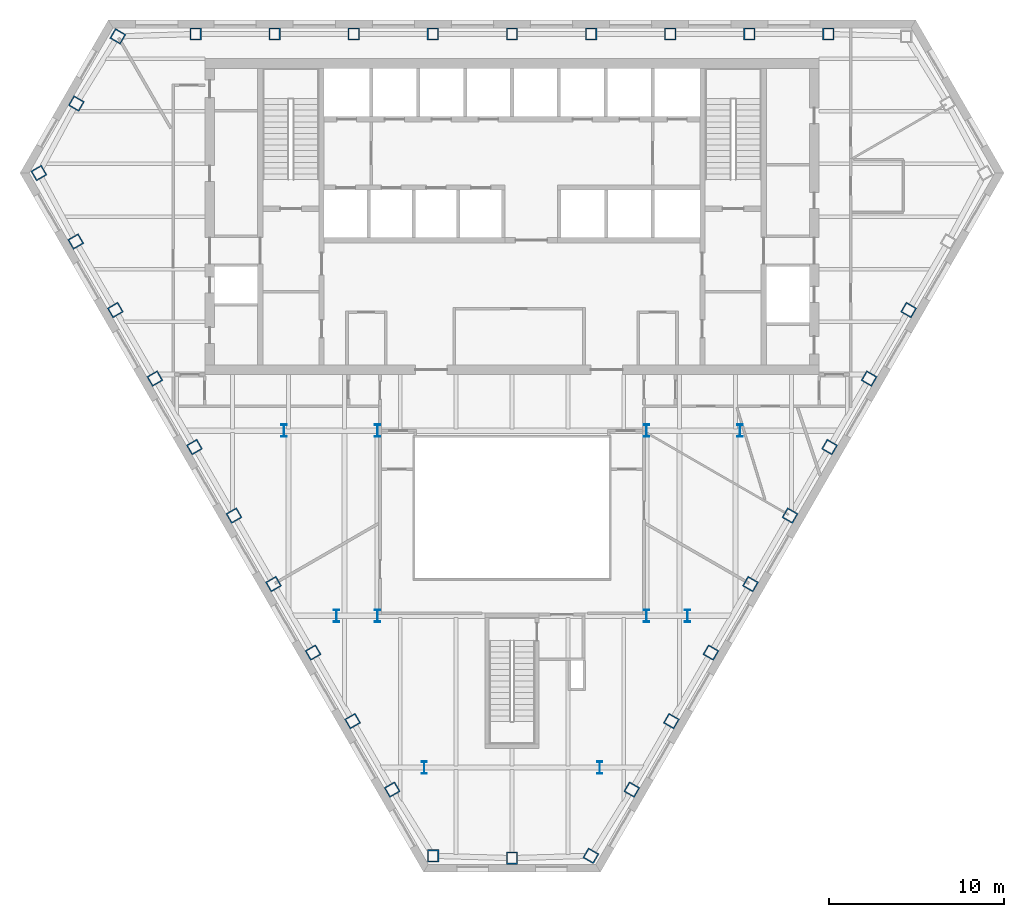
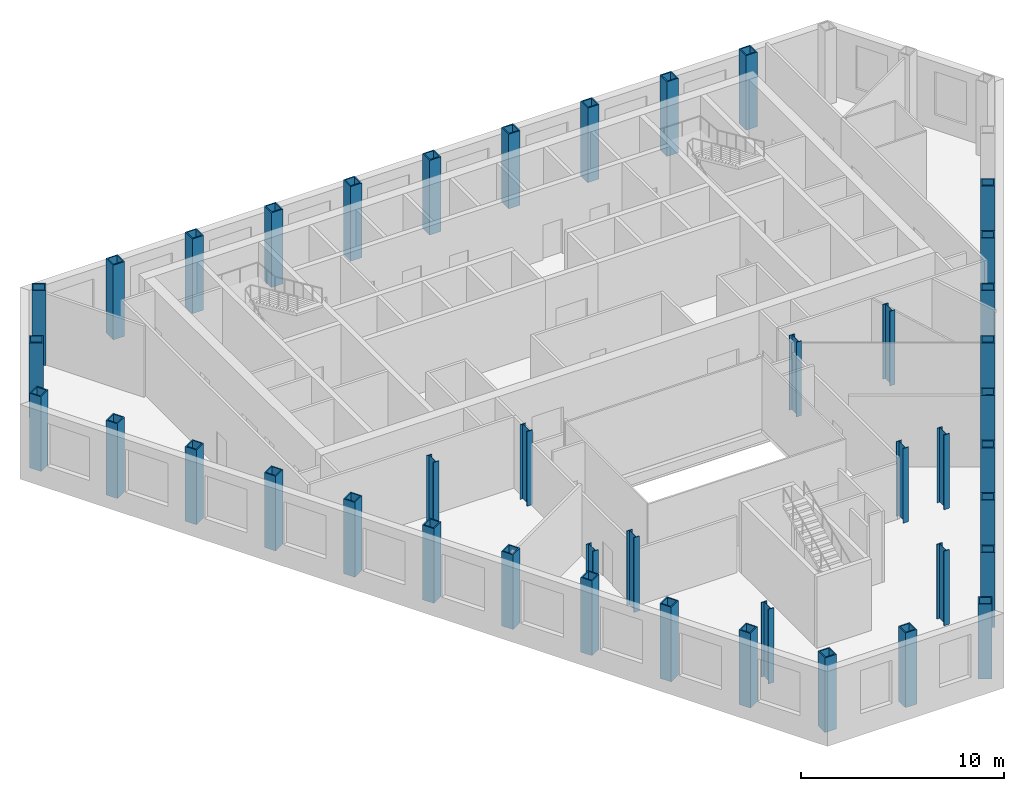
# One storey, part 1 of 11: 42 columns.
"""IFC4 building model written with IfcOpenShell, lengths in metres."""

from ifc_helpers import new_model, si_unit, direction, frame, origin, origin_2d, place, context, subcontext, project, spatial, hollow_rectangle, i_section, extrude, material, material_profile, profile_set, type_object, element, save


model = new_model("IFC4")

# Units and contexts
model_context = context("Model", 3, precision=1e-05, world=origin(), true_north=direction((0.0, 1.0)))
body_context = subcontext(model_context, "Body", "Model", "MODEL_VIEW")
ifc_project = project(units=[si_unit("LENGTHUNIT", "METRE"), si_unit("AREAUNIT", "SQUARE_METRE"), si_unit("VOLUMEUNIT", "CUBIC_METRE"), si_unit("PLANEANGLEUNIT", "RADIAN"), si_unit("MASSUNIT", "GRAM", prefix="KILO")], contexts=[model_context])

# Site, building, storey
site_placement = place(None, origin())
site = spatial("IfcSite", under=ifc_project, at=site_placement, CompositionType="ELEMENT")
building_placement = place(site_placement, origin())
building = spatial("IfcBuilding", under=site, at=building_placement, Name="Njiva Tower", CompositionType="ELEMENT")
storey_placement = place(building_placement, frame((0.0, 0.0, 102.3)))
storey = spatial("IfcBuildingStorey", under=building, at=storey_placement, Name="L21", CompositionType="ELEMENT", Elevation=102.3)

# Columns
ifc_material = material(Name="Steel S355 J2", Category="steel")
ifc_material_profile_1 = material_profile(ifc_material, hollow_rectangle(XDim=0.65, YDim=0.7, WallThickness=0.065, at=origin_2d()), Name="BOX 700x650x65")
ifc_profile_set_1 = profile_set([ifc_material_profile_1], Name="Steel S355 J2")
column_type_1 = type_object("IfcColumnType", Name="C7 Perimeter tube column BOX 700x650x65", PredefinedType="COLUMN", material=ifc_profile_set_1)
for number, where, z_axis, x_axis, name in (
    (1, (18.03, 19.4, 0.0), (0.0, 0.0, 1.0), (-1.0, 0.0, 0.0), "Perimeter tube column S07-C02"),
    (2, (13.523, 19.4, 0.0), (0.0, 0.0, 1.0), (-1.0, 0.0, 0.0), "Perimeter tube column S07-C03"),
    (3, (9.015, 19.4, 0.0), (0.0, 0.0, 1.0), (-1.0, 0.0, 0.0), "Perimeter tube column S07-C04"),
    (4, (4.508, 19.4, 0.0), (0.0, 0.0, 1.0), (-1.0, 0.0, 0.0), "Perimeter tube column S07-C05"),
    (5, (0.0, 19.4, 0.0), (0.0, 0.0, 1.0), (-1.0, 0.0, 0.0), "Perimeter tube column S07-C06"),
    (6, (-4.508, 19.4, 0.0), (0.0, 0.0, 1.0), (-1.0, 0.0, 0.0), "Perimeter tube column S07-C07"),
    (7, (-9.015, 19.4, 0.0), (0.0, 0.0, 1.0), (-1.0, 0.0, 0.0), "Perimeter tube column S07-C08"),
    (8, (-13.523, 19.4, 0.0), (0.0, 0.0, 1.0), (-1.0, 0.0, 0.0), "Perimeter tube column S07-C09"),
    (9, (-18.03, 19.4, 0.0), (0.0, 0.0, 1.0), (-1.0, 0.0, 0.0), "Perimeter tube column S07-C10"),
    (10, (-22.461, 19.267, 0.0), (0.0, 0.0, 1.0), (-0.5, -0.866025403784, 0.0), "Perimeter tube column S07-C11"),
    (11, (-24.825, 15.44, 0.0), (0.0, 0.0, 1.0), (-0.5, -0.866025403784, 0.0), "Perimeter tube column S07-C12"),
    (12, (-26.958, 11.479, 0.0), (0.0, 0.0, 1.0), (0.5, -0.866025403784, 0.0), "Perimeter tube column S07-C13"),
    (13, (-24.857, 7.575, 0.0), (0.0, 0.0, 1.0), (0.5, -0.866025403784, 0.0), "Perimeter tube column S07-C14"),
    (14, (-22.604, 3.672, 0.0), (0.0, 0.0, 1.0), (0.5, -0.866025403784, 0.0), "Perimeter tube column S07-C15"),
    (15, (-20.35, -0.232, 0.0), (0.0, 0.0, 1.0), (0.5, -0.866025403784, 0.0), "Perimeter tube column S07-C16"),
    (16, (-18.096, -4.136, 0.0), (0.0, 0.0, 1.0), (0.5, -0.866025403784, 0.0), "Perimeter tube column S07-C17"),
    (17, (-15.842, -8.039, 0.0), (0.0, 0.0, 1.0), (0.5, -0.866025403784, 0.0), "Perimeter tube column S07-C18"),
    (18, (-13.588, -11.943, 0.0), (0.0, 0.0, 1.0), (0.5, -0.866025403784, 0.0), "Perimeter tube column S07-C19"),
    (19, (-11.335, -15.847, 0.0), (0.0, 0.0, 1.0), (0.5, -0.866025403784, 0.0), "Perimeter tube column S07-C20"),
    (20, (-9.081, -19.751, 0.0), (0.0, 0.0, 1.0), (0.5, -0.866025403784, 0.0), "Perimeter tube column S07-C21"),
    (21, (-6.827, -23.654, 0.0), (0.0, 0.0, 1.0), (0.5, -0.866025403784, 0.0), "Perimeter tube column S07-C22"),
    (22, (-4.496, -27.425, 0.0), (0.0, 0.0, 1.0), (1.0, 0.0, 0.0), "Perimeter tube column S07-C23"),
    (23, (0.0, -27.558, 0.0), (0.0, 0.0, 1.0), (1.0, 0.0, 0.0), "Perimeter tube column S07-C24"),
    (24, (4.496, -27.425, 0.0), (0.0, 0.0, 1.0), (0.5, 0.866025403784, 0.0), "Perimeter tube column S07-C25"),
    (25, (6.827, -23.654, 0.0), (0.0, 0.0, 1.0), (0.5, 0.866025403784, 0.0), "Perimeter tube column S07-C26"),
    (26, (9.081, -19.751, 0.0), (0.0, 0.0, 1.0), (0.5, 0.866025403784, 0.0), "Perimeter tube column S07-C27"),
    (27, (11.335, -15.847, 0.0), (0.0, 0.0, 1.0), (0.5, 0.866025403784, 0.0), "Perimeter tube column S07-C28"),
    (28, (13.588, -11.943, 0.0), (0.0, 0.0, 1.0), (0.5, 0.866025403784, 0.0), "Perimeter tube column S07-C29"),
    (29, (15.842, -8.039, 0.0), (0.0, 0.0, 1.0), (0.5, 0.866025403784, 0.0), "Perimeter tube column S07-C30"),
    (30, (18.096, -4.136, 0.0), (0.0, 0.0, 1.0), (0.5, 0.866025403784, 0.0), "Perimeter tube column S07-C31"),
    (31, (20.35, -0.232, 0.0), (0.0, 0.0, 1.0), (0.5, 0.866025403784, 0.0), "Perimeter tube column S07-C32"),
    (32, (22.604, 3.672, 0.0), (0.0, 0.0, 1.0), (0.5, 0.866025403784, 0.0), "Perimeter tube column S07-C33"),
):
    element("IfcColumn", number, at=place(storey_placement, frame(where, z_axis=z_axis, x_axis=x_axis)), inside=storey, type_object=column_type_1, Name=name, PredefinedType="COLUMN", context=body_context, shape_type="SweptSolid", body=[
        extrude(hollow_rectangle(XDim=0.65, YDim=0.7, WallThickness=0.065, at=origin_2d()), origin(), (0.0, 0.0, 1.0), 4.5),
    ])
ifc_material_profile_2 = material_profile(ifc_material, i_section(OverallWidth=0.304, OverallDepth=0.716, WebThickness=0.021, FlangeThickness=0.04, at=origin_2d()), Name="HEM 700")
ifc_profile_set_2 = profile_set([ifc_material_profile_2], Name="Steel S355 J2")
column_type_2 = type_object("IfcColumnType", Name="C8 Interior column HEM 700", PredefinedType="COLUMN", material=ifc_profile_set_2)
for number, where, z_axis, x_axis, name in (
    (33, (7.67, -3.2, 0.0), (0.0, 0.0, 1.0), (1.0, 0.0, 0.0), "Interior column S07-C37"),
    (34, (-7.67, -3.2, 0.0), (0.0, 0.0, 1.0), (1.0, 0.0, 0.0), "Interior column S07-C38"),
    (35, (7.67, -13.75, 0.0), (0.0, 0.0, 1.0), (1.0, 0.0, 0.0), "Interior column S07-C39"),
    (36, (-7.67, -13.75, 0.0), (0.0, 0.0, 1.0), (1.0, 0.0, 0.0), "Interior column S07-C40"),
    (37, (5.0, -22.4, 0.0), (0.0, 0.0, 1.0), (1.0, 0.0, 0.0), "Interior column S07-C41"),
    (38, (-5.0, -22.4, 0.0), (0.0, 0.0, 1.0), (1.0, 0.0, 0.0), "Interior column S07-C42"),
    (39, (13.0, -3.2, 0.0), (0.0, 0.0, 1.0), (1.0, 0.0, 0.0), "Interior column S07-C43"),
    (40, (-13.0, -3.2, 0.0), (0.0, 0.0, 1.0), (1.0, 0.0, 0.0), "Interior column S07-C44"),
    (41, (10.0, -13.75, 0.0), (0.0, 0.0, 1.0), (1.0, 0.0, 0.0), "Interior column S07-C45"),
    (42, (-10.0, -13.75, 0.0), (0.0, 0.0, 1.0), (1.0, 0.0, 0.0), "Interior column S07-C46"),
):
    element("IfcColumn", number, at=place(storey_placement, frame(where, z_axis=z_axis, x_axis=x_axis)), inside=storey, type_object=column_type_2, Name=name, PredefinedType="COLUMN", context=body_context, shape_type="SweptSolid", body=[
        extrude(i_section(OverallWidth=0.304, OverallDepth=0.716, WebThickness=0.021, FlangeThickness=0.04, at=origin_2d()), origin(), (0.0, 0.0, 1.0), 4.5),
    ])

save(model, "model.ifc")
